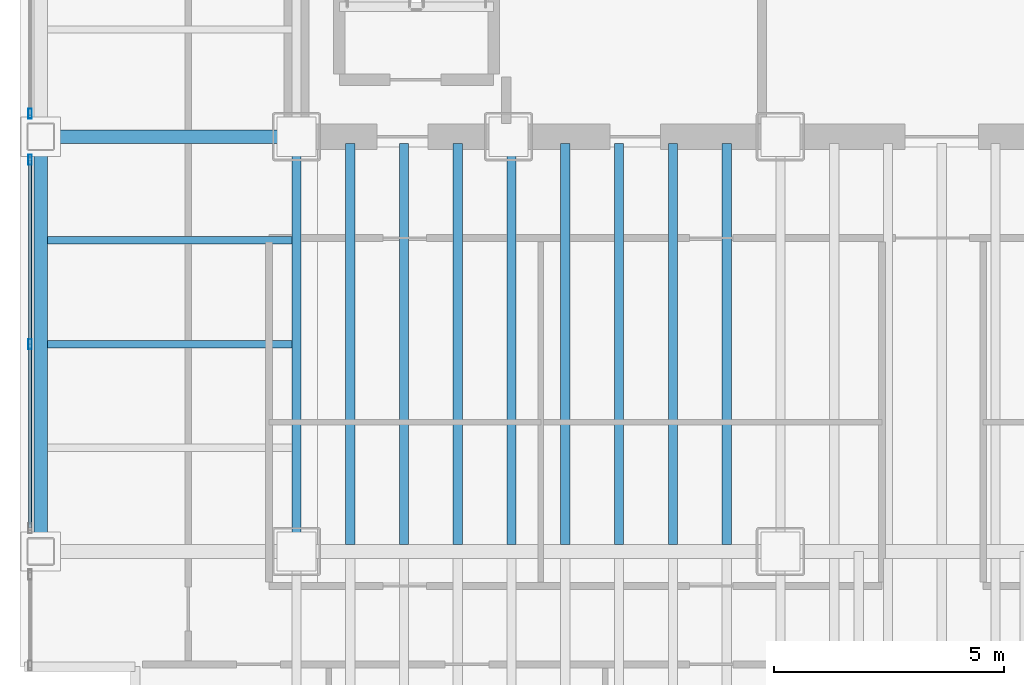
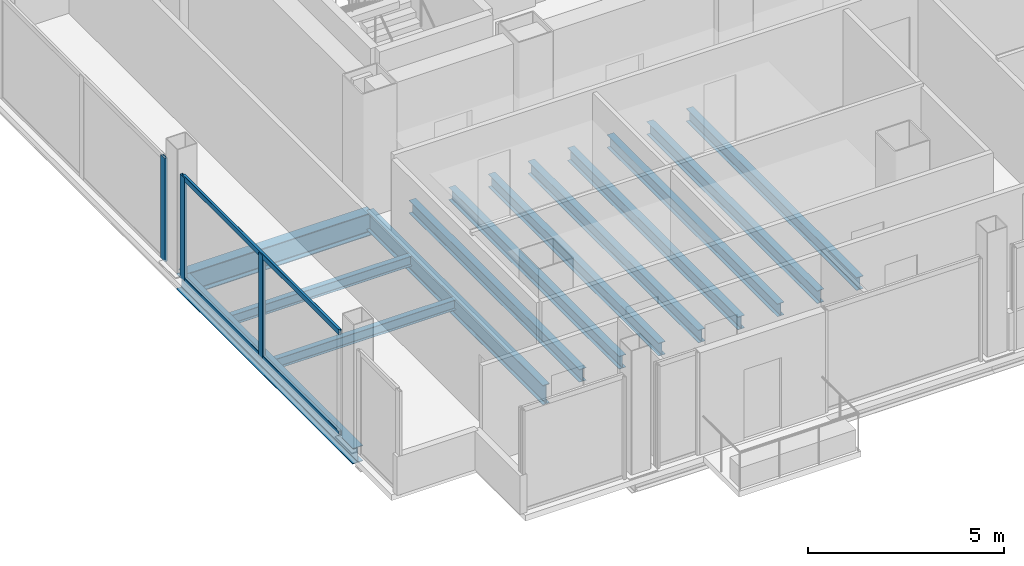
# One storey, part 3 of 20: 13 beams, 5 members, 2 elements without a shape of their own.
"""IFC4 building model written with IfcOpenShell, lengths in metres."""

from ifc_helpers import new_model, si_unit, direction, frame, origin, origin_2d, place, context, subcontext, project, spatial, hollow_rectangle, i_section, extrude, material, material_profile, profile_set, type_object, element, aggregate, save


model = new_model("IFC4")

# Units and contexts
model_context = context("Model", 3, precision=1e-05, world=origin(), true_north=direction((0.0, 1.0)))
body_context = subcontext(model_context, "Body", "Model", "MODEL_VIEW")
ifc_project = project(units=[si_unit("LENGTHUNIT", "METRE"), si_unit("AREAUNIT", "SQUARE_METRE"), si_unit("VOLUMEUNIT", "CUBIC_METRE"), si_unit("PLANEANGLEUNIT", "RADIAN"), si_unit("MASSUNIT", "GRAM", prefix="KILO")], contexts=[model_context])

# Site, building, storey
site_placement = place(None, origin())
site = spatial("IfcSite", under=ifc_project, at=site_placement, CompositionType="ELEMENT")
building_placement = place(site_placement, origin())
building = spatial("IfcBuilding", under=site, at=building_placement, Name="Noeulbin Bourse Tower", CompositionType="ELEMENT")
storey_placement = place(building_placement, frame((0.0, 0.0, 73.300048828125)))
storey = spatial("IfcBuildingStorey", under=building, at=storey_placement, Name="L18", CompositionType="ELEMENT", Elevation=73.300048828125)

# Beams
ifc_material_1 = material(Name="Steel S355", Category="steel")
ifc_material_profile_1 = material_profile(ifc_material_1, i_section(OverallWidth=0.199951171875, OverallDepth=0.60009765625, WebThickness=0.010986328125, FlangeThickness=0.01708984375, FilletRadius=0.02197265625, at=origin_2d()), Name="H-600x200x11x17", Category="LoadBearing")
ifc_profile_set_1 = profile_set([ifc_material_profile_1], Name="Steel S355")
beam_type_1 = type_object("IfcBeamType", Name="BM-GRD-600", PredefinedType="USERDEFINED", material=ifc_profile_set_1)
beam_1_placement = place(storey_placement, frame((13.5, 20.0, -0.47998046875), z_axis=(0.0, 1.0, 0.0), x_axis=(-1.0, 0.0, 0.0)))
element("IfcBeam", 1, at=beam_1_placement, inside=storey, type_object=beam_type_1, Name="Tower Primary Girder NS L18-1.2", ObjectType="GIRDER", PredefinedType="USERDEFINED", context=body_context, shape_type="SweptSolid", body=[
    extrude(i_section(OverallWidth=0.199951171875, OverallDepth=0.60009765625, WebThickness=0.010986328125, FlangeThickness=0.01708984375, FilletRadius=0.02197265625, at=origin_2d()), origin(), (0.0, 0.0, 1.0), 9.0),
])
ifc_material_profile_2 = material_profile(ifc_material_1, i_section(OverallWidth=0.300048828125, OverallDepth=0.699951171875, WebThickness=0.012939453125, FlangeThickness=0.02392578125, FilletRadius=0.02392578125, at=origin_2d()), Name="H-700x300x13x24", Category="LoadBearing")
ifc_profile_set_2 = profile_set([ifc_material_profile_2], Name="Steel S355")
beam_type_2 = type_object("IfcBeamType", Name="BM-GRD-700", PredefinedType="USERDEFINED", material=ifc_profile_set_2)
beam_2_placement = place(storey_placement, frame((7.949951171875, 29.0, -0.530029296875), z_axis=(1.0, 0.0, 0.0), x_axis=(0.0, 1.0, 0.0)))
element("IfcBeam", 2, at=beam_2_placement, inside=storey, type_object=beam_type_2, Name="Tower Primary Girder EW L18-2.1", ObjectType="GIRDER", PredefinedType="USERDEFINED", context=body_context, shape_type="SweptSolid", body=[
    extrude(i_section(OverallWidth=0.300048828125, OverallDepth=0.699951171875, WebThickness=0.012939453125, FlangeThickness=0.02392578125, FilletRadius=0.02392578125, at=origin_2d()), origin(), (0.0, 0.0, 1.0), 5.550048828125),
])
ifc_material_profile_3 = material_profile(ifc_material_1, i_section(OverallWidth=0.159912109375, OverallDepth=0.320068359375, WebThickness=0.006591796875, FlangeThickness=0.010009765625, FilletRadius=0.012939453125, at=origin_2d()), Name="H-320x160x6.5x10", Category="LoadBearing")
ifc_profile_set_3 = profile_set([ifc_material_profile_3], Name="Steel S355")
beam_type_3 = type_object("IfcBeamType", Name="BM-JST-320", PredefinedType="JOIST", material=ifc_profile_set_3)
for number, where, z_axis, x_axis, name in (
    (3, (8.10009765625, 24.5, -0.340087890625), (1.0, 0.0, 0.0), (0.0, 1.0, 0.0), "Wing Composite Joist L18-W71"),
    (4, (8.10009765625, 26.75, -0.340087890625), (1.0, 0.0, 0.0), (0.0, 1.0, 0.0), "Wing Composite Joist L18-W72"),
):
    element("IfcBeam", number, at=place(storey_placement, frame(where, z_axis=z_axis, x_axis=x_axis)), inside=storey, type_object=beam_type_3, Name=name, PredefinedType="JOIST", context=body_context, shape_type="SweptSolid", body=[
        extrude(i_section(OverallWidth=0.159912109375, OverallDepth=0.320068359375, WebThickness=0.006591796875, FlangeThickness=0.010009765625, FilletRadius=0.012939453125, at=origin_2d()), origin(), (0.0, 0.0, 1.0), 5.2998046875),
    ])
ifc_material_profile_4 = material_profile(ifc_material_1, i_section(OverallWidth=0.199951171875, OverallDepth=0.39990234375, WebThickness=0.008056640625, FlangeThickness=0.012939453125, FilletRadius=0.01611328125, at=origin_2d()), Name="H-400x200x8x13", Category="LoadBearing")
ifc_profile_set_4 = profile_set([ifc_material_profile_4], Name="Steel S355")
beam_type_4 = type_object("IfcBeamType", Name="BM-SEC-400", PredefinedType="BEAM", material=ifc_profile_set_4)
for number, where, z_axis, x_axis, name in (
    (5, (14.666748046875, 20.14990234375, -0.380126953125), (0.0, 1.0, 0.0), (-1.0, 0.0, 0.0), "Tower Composite Joist L18-02"),
    (6, (15.833251953125, 20.14990234375, -0.380126953125), (0.0, 1.0, 0.0), (-1.0, 0.0, 0.0), "Tower Composite Joist L18-05"),
    (7, (17.0, 20.14990234375, -0.380126953125), (0.0, 1.0, 0.0), (-1.0, 0.0, 0.0), "Tower Composite Joist L18-08"),
    (8, (18.166748046875, 20.14990234375, -0.380126953125), (0.0, 1.0, 0.0), (-1.0, 0.0, 0.0), "Tower Composite Joist L18-11"),
    (9, (19.333251953125, 20.14990234375, -0.380126953125), (0.0, 1.0, 0.0), (-1.0, 0.0, 0.0), "Tower Composite Joist L18-14"),
    (10, (20.5, 20.14990234375, -0.380126953125), (0.0, 1.0, 0.0), (-1.0, 0.0, 0.0), "Tower Composite Joist L18-17"),
    (11, (21.666748046875, 20.14990234375, -0.380126953125), (0.0, 1.0, 0.0), (-1.0, 0.0, 0.0), "Tower Composite Joist L18-20"),
    (12, (22.833251953125, 20.14990234375, -0.380126953125), (0.0, 1.0, 0.0), (-1.0, 0.0, 0.0), "Tower Composite Joist L18-23"),
):
    element("IfcBeam", number, at=place(storey_placement, frame(where, z_axis=z_axis, x_axis=x_axis)), inside=storey, type_object=beam_type_4, Name=name, PredefinedType="BEAM", context=body_context, shape_type="SweptSolid", body=[
        extrude(i_section(OverallWidth=0.199951171875, OverallDepth=0.39990234375, WebThickness=0.008056640625, FlangeThickness=0.012939453125, FilletRadius=0.01611328125, at=origin_2d()), origin(), (0.0, 0.0, 1.0), 8.7001953125),
    ])
ifc_material_profile_5 = material_profile(ifc_material_1, i_section(OverallWidth=0.300048828125, OverallDepth=0.488037109375, WebThickness=0.010986328125, FlangeThickness=0.01806640625, FilletRadius=0.02197265625, at=origin_2d()), Name="H-488x300x11x18", Category="LoadBearing")
ifc_profile_set_5 = profile_set([ifc_material_profile_5], Name="Steel S355")
beam_type_5 = type_object("IfcBeamType", Name="BM-SPN-488", PredefinedType="SPANDREL", material=ifc_profile_set_5)
beam_3_placement = place(storey_placement, frame((7.949951171875, 20.0, -0.424072265625), z_axis=(0.0, 1.0, 0.0), x_axis=(-1.0, 0.0, 0.0)))
element("IfcBeam", 13, at=beam_3_placement, inside=storey, type_object=beam_type_5, Name="West Spandrel L18-1", PredefinedType="SPANDREL", context=body_context, shape_type="SweptSolid", body=[
    extrude(i_section(OverallWidth=0.300048828125, OverallDepth=0.488037109375, WebThickness=0.010986328125, FlangeThickness=0.01806640625, FilletRadius=0.02197265625, at=origin_2d()), origin(), (0.0, 0.0, 1.0), 9.0),
])

# Curtain wall, members
ifc_material_2 = material(Name="Dark Solar-Control Double Glazing", Category="glass")
curtain_wall_type = type_object("IfcCurtainWallType", Name="CW-SYS-2", PredefinedType="NOTDEFINED", material=ifc_material_2)
curtain_wall_1_placement = place(storey_placement, origin())
curtain_wall_1 = element("IfcCurtainWall", 14, at=curtain_wall_1_placement, inside=storey, type_object=curtain_wall_type, Name="Unitised Curtain Wall CW-L18-W-S2", PredefinedType="NOTDEFINED")
ifc_material_3 = material(Name="Anodised Aluminium 6063-T6", Category="aluminium")
ifc_material_profile_6 = material_profile(ifc_material_3, hollow_rectangle(XDim=0.074951171875, YDim=0.219970703125, WallThickness=0.0048828125, InnerFilletRadius=0.00244140625, OuterFilletRadius=0.0048828125, at=origin_2d()), Name="ALU-MULL-75x220x5", Category="LoadBearing")
ifc_profile_set_6 = profile_set([ifc_material_profile_6], Name="Anodised Aluminium 6063-T6")
member_type_1 = type_object("IfcMemberType", Name="CW-SYS-2-MUL", PredefinedType="MULLION", material=ifc_profile_set_6)
member_1_placement = place(storey_placement, frame((7.719970703125, 24.5, -0.02001953125), z_axis=(0.0, 0.0, 1.0), x_axis=(1.0, 0.0, 0.0)))
member_1 = element("IfcMember", 15, at=member_1_placement, type_object=member_type_1, Name="Curtain Wall Mullion CW-L18-W-S2-M01", PredefinedType="MULLION", context=body_context, shape_type="SweptSolid", body=[
    extrude(hollow_rectangle(XDim=0.074951171875, YDim=0.219970703125, WallThickness=0.0048828125, InnerFilletRadius=0.00244140625, OuterFilletRadius=0.0048828125, at=origin_2d()), origin(), (0.0, 0.0, 1.0), 3.219970703125),
])
member_2_placement = place(storey_placement, frame((7.719970703125, 28.5, -0.02001953125), z_axis=(0.0, 0.0, 1.0), x_axis=(1.0, 0.0, 0.0)))
member_2 = element("IfcMember", 16, at=member_2_placement, type_object=member_type_1, Name="Curtain Wall Mullion CW-L18-W-S2-M02", PredefinedType="MULLION", context=body_context, shape_type="SweptSolid", body=[
    extrude(hollow_rectangle(XDim=0.074951171875, YDim=0.219970703125, WallThickness=0.0048828125, InnerFilletRadius=0.00244140625, OuterFilletRadius=0.0048828125, at=origin_2d()), origin(), (0.0, 0.0, 1.0), 3.219970703125),
])

# Curtain wall, member
curtain_wall_2_placement = place(storey_placement, origin())
curtain_wall_2 = element("IfcCurtainWall", 17, at=curtain_wall_2_placement, inside=storey, type_object=curtain_wall_type, Name="Unitised Curtain Wall CW-L18-W-S3", PredefinedType="NOTDEFINED")
member_3_placement = place(storey_placement, frame((7.719970703125, 29.5, -0.02001953125), z_axis=(0.0, 0.0, 1.0), x_axis=(1.0, 0.0, 0.0)))
member_3 = element("IfcMember", 18, at=member_3_placement, type_object=member_type_1, Name="Curtain Wall Mullion CW-L18-W-S3-M00", PredefinedType="MULLION", context=body_context, shape_type="SweptSolid", body=[
    extrude(hollow_rectangle(XDim=0.074951171875, YDim=0.219970703125, WallThickness=0.0048828125, InnerFilletRadius=0.00244140625, OuterFilletRadius=0.0048828125, at=origin_2d()), origin(), (0.0, 0.0, 1.0), 3.219970703125),
])
aggregate(curtain_wall_2, [member_3])

# Member
ifc_material_profile_7 = material_profile(ifc_material_3, hollow_rectangle(XDim=0.074951171875, YDim=0.159912109375, WallThickness=0.0048828125, InnerFilletRadius=0.00244140625, OuterFilletRadius=0.0048828125, at=origin_2d()), Name="ALU-TRAN-75x160x5", Category="LoadBearing")
ifc_profile_set_7 = profile_set([ifc_material_profile_7], Name="Anodised Aluminium 6063-T6")
member_type_2 = type_object("IfcMemberType", Name="CW-SYS-2-TRN", PredefinedType="USERDEFINED", material=ifc_profile_set_7)
member_4_placement = place(storey_placement, frame((7.719970703125, 20.510009765625, 0.010009765625), z_axis=(0.0, 1.0, 0.0), x_axis=(-1.0, 0.0, 0.0)))
member_4 = element("IfcMember", 19, at=member_4_placement, type_object=member_type_2, Name="Curtain Wall Transom CW-L18-W-S2-T00", ObjectType="TRANSOM", PredefinedType="USERDEFINED", context=body_context, shape_type="SweptSolid", body=[
    extrude(hollow_rectangle(XDim=0.074951171875, YDim=0.159912109375, WallThickness=0.0048828125, InnerFilletRadius=0.00244140625, OuterFilletRadius=0.0048828125, at=origin_2d()), origin(), (0.0, 0.0, 1.0), 7.97998046875),
])

member_5_placement = place(storey_placement, frame((7.719970703125, 20.510009765625, 3.169921875), z_axis=(0.0, 1.0, 0.0), x_axis=(-1.0, 0.0, 0.0)))
member_5 = element("IfcMember", 20, at=member_5_placement, type_object=member_type_2, Name="Curtain Wall Transom CW-L18-W-S2-T01", ObjectType="TRANSOM", PredefinedType="USERDEFINED", context=body_context, shape_type="SweptSolid", body=[
    extrude(hollow_rectangle(XDim=0.074951171875, YDim=0.159912109375, WallThickness=0.0048828125, InnerFilletRadius=0.00244140625, OuterFilletRadius=0.0048828125, at=origin_2d()), origin(), (0.0, 0.0, 1.0), 7.97998046875),
])

aggregate(curtain_wall_1, [member_1, member_2, member_4, member_5])

save(model, "model.ifc")
